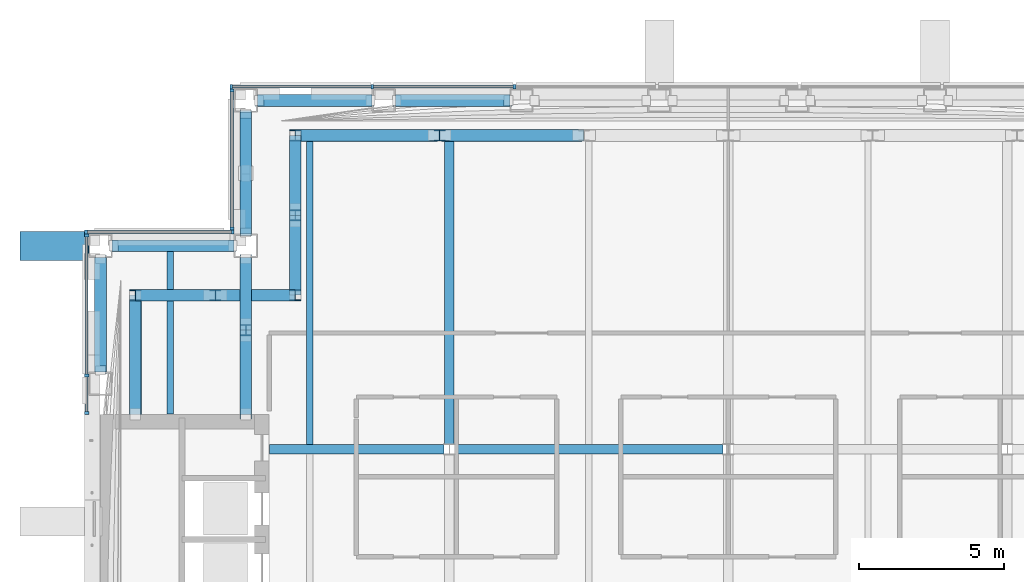
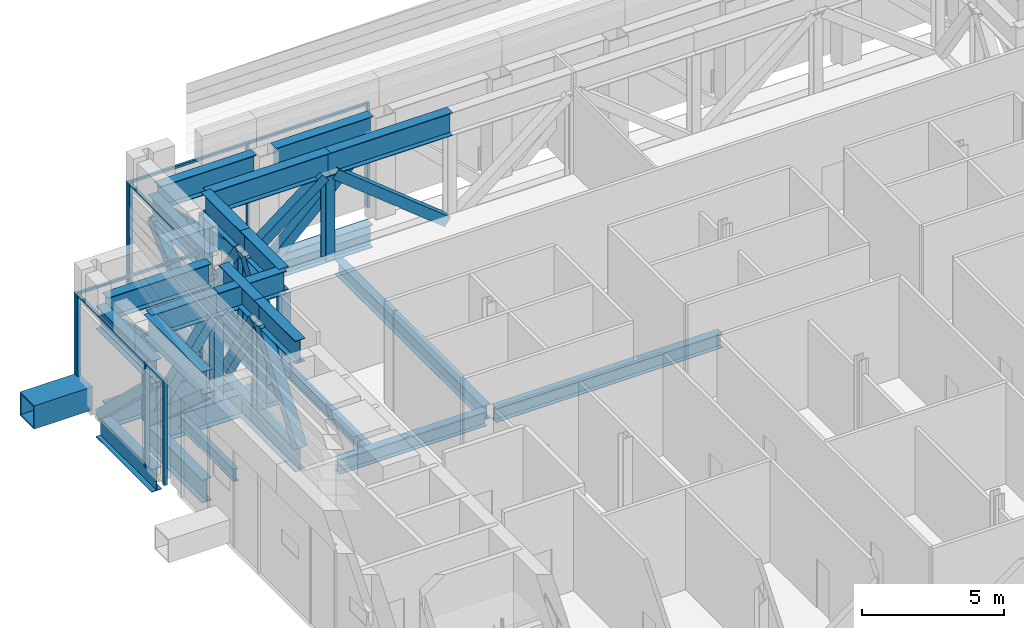
# One storey, part 7 of 29: 62 members, 7 beams, 4 elements without a shape of their own.
"""IFC4 building model written with IfcOpenShell, lengths in metres."""

from ifc_helpers import new_model, si_unit, direction, frame, origin, origin_2d, place, context, subcontext, project, spatial, rectangle, hollow_rectangle, i_section, extrude, material, material_profile, profile_set, type_object, element, aggregate, save


model = new_model("IFC4")

# Units and contexts
model_context = context("Model", 3, precision=1e-05, world=origin(), true_north=direction((0.0, 1.0)))
body_context = subcontext(model_context, "Body", "Model", "MODEL_VIEW")
ifc_project = project(units=[si_unit("LENGTHUNIT", "METRE"), si_unit("AREAUNIT", "SQUARE_METRE"), si_unit("VOLUMEUNIT", "CUBIC_METRE"), si_unit("PLANEANGLEUNIT", "RADIAN"), si_unit("MASSUNIT", "GRAM", prefix="KILO")], contexts=[model_context])

# Site, building, storey
site_placement = place(None, origin())
site = spatial("IfcSite", under=ifc_project, at=site_placement, CompositionType="ELEMENT")
building_placement = place(site_placement, origin())
building = spatial("IfcBuilding", under=site, at=building_placement, Name="Cobrizo Arcos Hotel Tower", CompositionType="ELEMENT")
storey_placement = place(building_placement, frame((0.0, 0.0, 186.5)))
storey = spatial("IfcBuildingStorey", under=building, at=storey_placement, Name="L48", CompositionType="ELEMENT", Elevation=186.5)

# Beam
ifc_material_1 = material(Name="Steel ASTM A572 Grade 50", Category="steel")
ifc_material_profile_1 = material_profile(ifc_material_1, hollow_rectangle(XDim=1.0, YDim=1.0, WallThickness=0.06005859375, at=origin_2d()), Name="BOX 1000X1000X60")
ifc_profile_set_1 = profile_set([ifc_material_profile_1], Name="Steel ASTM A572 Grade 50")
beam_type_1 = type_object("IfcBeamType", Name="BOX 1000X1000X60 brace connector strut", PredefinedType="BEAM", material=ifc_profile_set_1)
beam_1_placement = place(storey_placement, frame((-21.989990234375, 16.60009765625, 0.5), z_axis=(-1.0, 0.0, 0.0), x_axis=(0.0, -1.0, 0.0)))
element("IfcBeam", 1, at=beam_1_placement, inside=storey, type_object=beam_type_1, Name="Perimeter brace stub BS1, zone Z3, west face, offset +16.60 m, L48", PredefinedType="BEAM", context=body_context, shape_type="SweptSolid", body=[
    extrude(hollow_rectangle(XDim=1.0, YDim=1.0, WallThickness=0.06005859375, at=origin_2d()), origin(), (0.0, 0.0, 1.0), 2.380126953125),
])

# Curtain wall, members
ifc_material_2 = material(Name="Aluminium 6063-T6 anodised bronze", Category="aluminium")
curtain_wall_type = type_object("IfcCurtainWallType", Name="CW-D plant louvre wall", PredefinedType="NOTDEFINED", material=ifc_material_2)
curtain_wall_1_placement = place(storey_placement, origin())
curtain_wall_1 = element("IfcCurtainWall", 2, at=curtain_wall_1_placement, inside=storey, type_object=curtain_wall_type, Name="CW-D L48 N face", PredefinedType="NOTDEFINED")
ifc_material_profile_2 = material_profile(ifc_material_2, rectangle(XDim=0.14990234375, YDim=0.10009765625, at=origin_2d()), Name="CW-D mullion 150x100")
ifc_profile_set_2 = profile_set([ifc_material_profile_2], Name="Aluminium 6063-T6 anodised bronze")
member_type_1 = type_object("IfcMemberType", Name="CW-D mullion 150x100", PredefinedType="MULLION", material=ifc_profile_set_2)
member_1_placement = place(storey_placement, frame((-7.35009765625, 22.074951171875, 0.0), z_axis=(0.0, 0.0, 1.0), x_axis=(0.0, 1.0, 0.0)))
member_1 = element("IfcMember", 3, at=member_1_placement, type_object=member_type_1, Name="CW-D mullion 6", PredefinedType="MULLION", context=body_context, shape_type="SweptSolid", body=[
    extrude(rectangle(XDim=0.14990234375, YDim=0.10009765625, at=origin_2d()), origin(), (0.0, 0.0, 1.0), 4.5),
])
member_2_placement = place(storey_placement, frame((-12.25, 22.074951171875, 0.0), z_axis=(0.0, 0.0, 1.0), x_axis=(0.0, 1.0, 0.0)))
member_2 = element("IfcMember", 4, at=member_2_placement, type_object=member_type_1, Name="CW-D mullion 7", PredefinedType="MULLION", context=body_context, shape_type="SweptSolid", body=[
    extrude(rectangle(XDim=0.14990234375, YDim=0.10009765625, at=origin_2d()), origin(), (0.0, 0.0, 1.0), 4.5),
])
member_3_placement = place(storey_placement, frame((-17.10009765625, 22.074951171875, 0.0), z_axis=(0.0, 0.0, 1.0), x_axis=(0.0, 1.0, 0.0)))
member_3 = element("IfcMember", 5, at=member_3_placement, type_object=member_type_1, Name="CW-D mullion 8", PredefinedType="MULLION", context=body_context, shape_type="SweptSolid", body=[
    extrude(rectangle(XDim=0.14990234375, YDim=0.10009765625, at=origin_2d()), origin(), (0.0, 0.0, 1.0), 4.5),
])

curtain_wall_2_placement = place(storey_placement, origin())
curtain_wall_2 = element("IfcCurtainWall", 6, at=curtain_wall_2_placement, inside=storey, type_object=curtain_wall_type, Name="CW-D L48 W face", PredefinedType="NOTDEFINED")
member_4_placement = place(storey_placement, frame((-17.074951171875, 21.949951171875, 0.0), z_axis=(0.0, 0.0, 1.0), x_axis=(-1.0, 0.0, 0.0)))
member_4 = element("IfcMember", 7, at=member_4_placement, type_object=member_type_1, Name="CW-D mullion 1", PredefinedType="MULLION", context=body_context, shape_type="SweptSolid", body=[
    extrude(rectangle(XDim=0.14990234375, YDim=0.10009765625, at=origin_2d()), origin(), (0.0, 0.0, 1.0), 4.5),
])
member_5_placement = place(storey_placement, frame((-17.074951171875, 17.199951171875, 0.0), z_axis=(0.0, 0.0, 1.0), x_axis=(-1.0, 0.0, 0.0)))
member_5 = element("IfcMember", 8, at=member_5_placement, type_object=member_type_1, Name="CW-D mullion 2", PredefinedType="MULLION", context=body_context, shape_type="SweptSolid", body=[
    extrude(rectangle(XDim=0.14990234375, YDim=0.10009765625, at=origin_2d()), origin(), (0.0, 0.0, 1.0), 4.5),
])

curtain_wall_3_placement = place(storey_placement, origin())
curtain_wall_3 = element("IfcCurtainWall", 9, at=curtain_wall_3_placement, inside=storey, type_object=curtain_wall_type, Name="CW-D L48 N face", PredefinedType="NOTDEFINED")
member_6_placement = place(storey_placement, frame((-17.050048828125, 17.074951171875, 0.0), z_axis=(0.0, 0.0, 1.0), x_axis=(0.0, 1.0, 0.0)))
member_6 = element("IfcMember", 10, at=member_6_placement, type_object=member_type_1, Name="CW-D mullion 1", PredefinedType="MULLION", context=body_context, shape_type="SweptSolid", body=[
    extrude(rectangle(XDim=0.14990234375, YDim=0.10009765625, at=origin_2d()), origin(), (0.0, 0.0, 1.0), 4.5),
])
member_7_placement = place(storey_placement, frame((-22.10009765625, 17.074951171875, 0.0), z_axis=(0.0, 0.0, 1.0), x_axis=(0.0, 1.0, 0.0)))
member_7 = element("IfcMember", 11, at=member_7_placement, type_object=member_type_1, Name="CW-D mullion 2", PredefinedType="MULLION", context=body_context, shape_type="SweptSolid", body=[
    extrude(rectangle(XDim=0.14990234375, YDim=0.10009765625, at=origin_2d()), origin(), (0.0, 0.0, 1.0), 4.5),
])

curtain_wall_4_placement = place(storey_placement, origin())
curtain_wall_4 = element("IfcCurtainWall", 12, at=curtain_wall_4_placement, inside=storey, type_object=curtain_wall_type, Name="CW-D L48 W face", PredefinedType="NOTDEFINED")
member_8_placement = place(storey_placement, frame((-22.074951171875, 16.949951171875, 0.0), z_axis=(0.0, 0.0, 1.0), x_axis=(-1.0, 0.0, 0.0)))
member_8 = element("IfcMember", 13, at=member_8_placement, type_object=member_type_1, Name="CW-D mullion 1", PredefinedType="MULLION", context=body_context, shape_type="SweptSolid", body=[
    extrude(rectangle(XDim=0.14990234375, YDim=0.10009765625, at=origin_2d()), origin(), (0.0, 0.0, 1.0), 4.5),
])
member_9_placement = place(storey_placement, frame((-22.074951171875, 12.142822265625, 0.0), z_axis=(0.0, 0.0, 1.0), x_axis=(-1.0, 0.0, 0.0)))
member_9 = element("IfcMember", 14, at=member_9_placement, type_object=member_type_1, Name="CW-D mullion 2", PredefinedType="MULLION", context=body_context, shape_type="SweptSolid", body=[
    extrude(rectangle(XDim=0.14990234375, YDim=0.10009765625, at=origin_2d()), origin(), (0.0, 0.0, 1.0), 4.5),
])
member_10_placement = place(storey_placement, frame((-22.074951171875, 10.85009765625, 0.0), z_axis=(0.0, 0.0, 1.0), x_axis=(-1.0, 0.0, 0.0)))
member_10 = element("IfcMember", 15, at=member_10_placement, type_object=member_type_1, Name="CW-D mullion 3", PredefinedType="MULLION", context=body_context, shape_type="SweptSolid", body=[
    extrude(rectangle(XDim=0.14990234375, YDim=0.10009765625, at=origin_2d()), origin(), (0.0, 0.0, 1.0), 4.5),
])

# Member
ifc_material_profile_3 = material_profile(ifc_material_2, rectangle(XDim=0.10009765625, YDim=0.10009765625, at=origin_2d()), Name="CW-D transom 100x100")
ifc_profile_set_3 = profile_set([ifc_material_profile_3], Name="Aluminium 6063-T6 anodised bronze")
member_type_2 = type_object("IfcMemberType", Name="CW-D transom 100x100", PredefinedType="USERDEFINED", material=ifc_profile_set_3)
member_11_placement = place(storey_placement, frame((-7.39990234375, 22.074951171875, 4.449951171875), z_axis=(-1.0, 0.0, 0.0), x_axis=(0.0, -1.0, 0.0)))
member_11 = element("IfcMember", 16, at=member_11_placement, type_object=member_type_2, Name="CW-D transom 1686", ObjectType="TRANSOM", PredefinedType="USERDEFINED", context=body_context, shape_type="SweptSolid", body=[
    extrude(rectangle(XDim=0.10009765625, YDim=0.10009765625, at=origin_2d()), origin(), (0.0, 0.0, 1.0), 4.800048828125),
])

member_12_placement = place(storey_placement, frame((-12.300048828125, 22.074951171875, 4.449951171875), z_axis=(-1.0, 0.0, 0.0), x_axis=(0.0, -1.0, 0.0)))
member_12 = element("IfcMember", 17, at=member_12_placement, type_object=member_type_2, Name="CW-D transom 1687", ObjectType="TRANSOM", PredefinedType="USERDEFINED", context=body_context, shape_type="SweptSolid", body=[
    extrude(rectangle(XDim=0.10009765625, YDim=0.10009765625, at=origin_2d()), origin(), (0.0, 0.0, 1.0), 4.75),
])

aggregate(curtain_wall_1, [member_1, member_2, member_3, member_11, member_12])

member_13_placement = place(storey_placement, frame((-17.074951171875, 21.89990234375, 4.449951171875), z_axis=(0.0, -1.0, 0.0), x_axis=(1.0, 0.0, 0.0)))
member_13 = element("IfcMember", 18, at=member_13_placement, type_object=member_type_2, Name="CW-D transom 1688", ObjectType="TRANSOM", PredefinedType="USERDEFINED", context=body_context, shape_type="SweptSolid", body=[
    extrude(rectangle(XDim=0.10009765625, YDim=0.10009765625, at=origin_2d()), origin(), (0.0, 0.0, 1.0), 4.64990234375),
])

aggregate(curtain_wall_2, [member_4, member_5, member_13])

member_14_placement = place(storey_placement, frame((-17.10009765625, 17.074951171875, 4.449951171875), z_axis=(-1.0, 0.0, 0.0), x_axis=(0.0, -1.0, 0.0)))
member_14 = element("IfcMember", 19, at=member_14_placement, type_object=member_type_2, Name="CW-D transom 1689", ObjectType="TRANSOM", PredefinedType="USERDEFINED", context=body_context, shape_type="SweptSolid", body=[
    extrude(rectangle(XDim=0.10009765625, YDim=0.10009765625, at=origin_2d()), origin(), (0.0, 0.0, 1.0), 4.949951171875),
])

aggregate(curtain_wall_3, [member_6, member_7, member_14])

member_15_placement = place(storey_placement, frame((-22.074951171875, 16.89990234375, 4.449951171875), z_axis=(0.0, -1.0, 0.0), x_axis=(1.0, 0.0, 0.0)))
member_15 = element("IfcMember", 20, at=member_15_placement, type_object=member_type_2, Name="CW-D transom 1690", ObjectType="TRANSOM", PredefinedType="USERDEFINED", context=body_context, shape_type="SweptSolid", body=[
    extrude(rectangle(XDim=0.10009765625, YDim=0.10009765625, at=origin_2d()), origin(), (0.0, 0.0, 1.0), 4.70703125),
])

member_16_placement = place(storey_placement, frame((-22.074951171875, 12.0927734375, 4.449951171875), z_axis=(0.0, -1.0, 0.0), x_axis=(1.0, 0.0, 0.0)))
member_16 = element("IfcMember", 21, at=member_16_placement, type_object=member_type_2, Name="CW-D transom 1691", ObjectType="TRANSOM", PredefinedType="USERDEFINED", context=body_context, shape_type="SweptSolid", body=[
    extrude(rectangle(XDim=0.10009765625, YDim=0.10009765625, at=origin_2d()), origin(), (0.0, 0.0, 1.0), 1.19287109375),
])

aggregate(curtain_wall_4, [member_8, member_9, member_10, member_15, member_16])

# Members
ifc_material_3 = material(Name="Steel ASTM A500 Grade C", Category="steel")
ifc_material_profile_4 = material_profile(ifc_material_3, hollow_rectangle(XDim=0.406494140625, YDim=0.406494140625, WallThickness=0.014892578125, at=origin_2d()), Name="HSS16X16X5/8")
ifc_profile_set_4 = profile_set([ifc_material_profile_4], Name="Steel ASTM A500 Grade C")
member_type_3 = type_object("IfcMemberType", Name="HSS16X16X5/8 truss diagonal", PredefinedType="BRACE", material=ifc_profile_set_4)
member_17_placement = place(storey_placement, frame((-7.593994140625, 21.60009765625, 3.359375), z_axis=(-0.718744947416, 0.0, -0.695273831353), x_axis=(0.0, -1.0, 0.0)))
element("IfcMember", 22, at=member_17_placement, inside=storey, type_object=member_type_3, Name="Belt truss diagonal TD1, L48, no. 019", PredefinedType="BRACE", context=body_context, shape_type="SweptSolid", body=[
    extrude(hollow_rectangle(XDim=0.406494140625, YDim=0.406494140625, WallThickness=0.014892578125, at=origin_2d()), origin(), (0.0, 0.0, 1.0), 5.26318359375),
])
member_18_placement = place(storey_placement, frame((-12.3369140625, 21.60009765625, -0.300048828125), z_axis=(-0.71876736936, 0.0, 0.695250651739), x_axis=(0.0, -1.0, 0.0)))
element("IfcMember", 23, at=member_18_placement, inside=storey, type_object=member_type_3, Name="Belt truss diagonal TD1, L48, no. 020", PredefinedType="BRACE", context=body_context, shape_type="SweptSolid", body=[
    extrude(hollow_rectangle(XDim=0.406494140625, YDim=0.406494140625, WallThickness=0.014892578125, at=origin_2d()), origin(), (0.0, 0.0, 1.0), 5.263427734375),
])
for number, where, z_axis, x_axis, name in (
    (24, (-16.60009765625, 21.1201171875, -0.300048828125), (0.0, -0.7411568591, 0.671331892739), (1.0, 0.0, 0.0), "Belt truss diagonal TD1, L48, no. 021"),
    (25, (-17.080078125, 16.60009765625, -0.300048828125), (-0.7411568591, 0.0, 0.671331892739), (0.0, -1.0, 0.0), "Belt truss diagonal TD1, L48, no. 022"),
):
    element("IfcMember", number, at=place(storey_placement, frame(where, z_axis=z_axis, x_axis=x_axis)), inside=storey, type_object=member_type_3, Name=name, PredefinedType="BRACE", context=body_context, shape_type="SweptSolid", body=[
        extrude(hollow_rectangle(XDim=0.406494140625, YDim=0.406494140625, WallThickness=0.014892578125, at=origin_2d()), origin(), (0.0, 0.0, 1.0), 5.450927734375),
    ])
member_19_placement = place(storey_placement, frame((-21.60009765625, 16.1201171875, -0.300048828125), z_axis=(0.0, -0.71876736936, 0.695250651739), x_axis=(1.0, 0.0, 0.0)))
element("IfcMember", 26, at=member_19_placement, inside=storey, type_object=member_type_3, Name="Belt truss diagonal TD1, L48, no. 023", PredefinedType="BRACE", context=body_context, shape_type="SweptSolid", body=[
    extrude(hollow_rectangle(XDim=0.406494140625, YDim=0.406494140625, WallThickness=0.014892578125, at=origin_2d()), origin(), (0.0, 0.0, 1.0), 5.263427734375),
])
member_20_placement = place(storey_placement, frame((-5.1669921875, 20.39990234375, -0.300048828125), z_axis=(-0.780310829579, 0.0, 0.625391884534), x_axis=(0.0, -1.0, 0.0)))
element("IfcMember", 27, at=member_20_placement, inside=storey, type_object=member_type_3, Name="Belt truss diagonal TD1, L48, no. 047", PredefinedType="BRACE", context=body_context, shape_type="SweptSolid", body=[
    extrude(hollow_rectangle(XDim=0.406494140625, YDim=0.406494140625, WallThickness=0.014892578125, at=origin_2d()), origin(), (0.0, 0.0, 1.0), 5.851318359375),
])
member_21_placement = place(storey_placement, frame((-10.133056640625, 20.39990234375, 3.359375), z_axis=(-0.793217141697, 0.0, -0.608938885372), x_axis=(0.0, -1.0, 0.0)))
element("IfcMember", 28, at=member_21_placement, inside=storey, type_object=member_type_3, Name="Belt truss diagonal TD1, L48, no. 048", PredefinedType="BRACE", context=body_context, shape_type="SweptSolid", body=[
    extrude(hollow_rectangle(XDim=0.406494140625, YDim=0.406494140625, WallThickness=0.014892578125, at=origin_2d()), origin(), (0.0, 0.0, 1.0), 6.009521484375),
])
for number, where, z_axis, x_axis, name in (
    (29, (-14.89990234375, 20.39990234375, -0.300048828125), (0.0, -0.571686597263, 0.820472080274), (1.0, 0.0, 0.0), "Belt truss diagonal TD1, L48, no. 049"),
    (30, (-14.89990234375, 17.449951171875, 3.359375), (0.0, -0.571723443945, -0.820446405102), (1.0, 0.0, 0.0), "Belt truss diagonal TD1, L48, no. 050"),
    (31, (-14.89990234375, 14.89990234375, -0.300048828125), (-0.571723443945, 0.0, 0.820446405102), (0.0, -1.0, 0.0), "Belt truss diagonal TD1, L48, no. 051"),
    (32, (-17.85009765625, 14.89990234375, 3.359375), (-0.571686597263, 0.0, -0.820472080274), (0.0, -1.0, 0.0), "Belt truss diagonal TD1, L48, no. 052"),
):
    element("IfcMember", number, at=place(storey_placement, frame(where, z_axis=z_axis, x_axis=x_axis)), inside=storey, type_object=member_type_3, Name=name, PredefinedType="BRACE", context=body_context, shape_type="SweptSolid", body=[
        extrude(hollow_rectangle(XDim=0.406494140625, YDim=0.406494140625, WallThickness=0.014892578125, at=origin_2d()), origin(), (0.0, 0.0, 1.0), 4.460205078125),
    ])
member_22_placement = place(storey_placement, frame((-20.39990234375, 14.89990234375, -0.300048828125), z_axis=(0.0, -0.745963676774, 0.665986631197), x_axis=(1.0, 0.0, 0.0)))
element("IfcMember", 33, at=member_22_placement, inside=storey, type_object=member_type_3, Name="Belt truss diagonal TD1, L48, no. 053", PredefinedType="BRACE", context=body_context, shape_type="SweptSolid", body=[
    extrude(hollow_rectangle(XDim=0.406494140625, YDim=0.406494140625, WallThickness=0.014892578125, at=origin_2d()), origin(), (0.0, 0.0, 1.0), 5.49462890625),
])
member_23_placement = place(storey_placement, frame((-16.60009765625, 10.800048828125, -0.300048828125), z_axis=(0.0, 0.593702520148, 0.804684607514), x_axis=(-1.0, 0.0, 0.0)))
element("IfcMember", 34, at=member_23_placement, inside=storey, type_object=member_type_3, Name="Outrigger diagonal TD1, L48, no. 010", PredefinedType="BRACE", context=body_context, shape_type="SweptSolid", body=[
    extrude(hollow_rectangle(XDim=0.406494140625, YDim=0.406494140625, WallThickness=0.014892578125, at=origin_2d()), origin(), (0.0, 0.0, 1.0), 4.547607421875),
])
member_24_placement = place(storey_placement, frame((-16.60009765625, 13.89990234375, 3.359375), z_axis=(0.0, 0.518708703579, -0.85495104002), x_axis=(-1.0, 0.0, 0.0)))
element("IfcMember", 35, at=member_24_placement, inside=storey, type_object=member_type_3, Name="Outrigger diagonal TD1, L48, no. 011", PredefinedType="BRACE", context=body_context, shape_type="SweptSolid", body=[
    extrude(hollow_rectangle(XDim=0.406494140625, YDim=0.406494140625, WallThickness=0.014892578125, at=origin_2d()), origin(), (0.0, 0.0, 1.0), 4.2802734375),
])
member_25_placement = place(storey_placement, frame((-16.60009765625, 17.080078125, -0.300048828125), z_axis=(0.0, 0.741125315388, 0.671366715657), x_axis=(-1.0, 0.0, 0.0)))
element("IfcMember", 36, at=member_25_placement, inside=storey, type_object=member_type_3, Name="Outrigger diagonal TD1, L48, no. 012", PredefinedType="BRACE", context=body_context, shape_type="SweptSolid", body=[
    extrude(hollow_rectangle(XDim=0.406494140625, YDim=0.406494140625, WallThickness=0.014892578125, at=origin_2d()), origin(), (0.0, 0.0, 1.0), 2.55126953125),
])
member_26_placement = place(storey_placement, frame((-16.60009765625, 19.22900390625, 1.646484375), z_axis=(0.0, 0.741168441831, 0.671319105072), x_axis=(-1.0, 0.0, 0.0)))
element("IfcMember", 37, at=member_26_placement, inside=storey, type_object=member_type_3, Name="Outrigger diagonal TD1, L48, no. 012b", PredefinedType="BRACE", context=body_context, shape_type="SweptSolid", body=[
    extrude(hollow_rectangle(XDim=0.406494140625, YDim=0.406494140625, WallThickness=0.014892578125, at=origin_2d()), origin(), (0.0, 0.0, 1.0), 2.551513671875),
])
ifc_material_4 = material(Name="Steel ASTM A992 Grade 50", Category="steel")
ifc_material_profile_5 = material_profile(ifc_material_4, i_section(OverallWidth=0.373291015625, OverallDepth=0.373291015625, WebThickness=0.016357421875, FlangeThickness=0.026123046875, at=origin_2d()), Name="W14X132")
ifc_profile_set_5 = profile_set([ifc_material_profile_5], Name="Steel ASTM A992 Grade 50")
member_type_4 = type_object("IfcMemberType", Name="W14X132 truss post", PredefinedType="POST", material=ifc_profile_set_5)
for number, where, z_axis, x_axis, name in (
    (38, (-9.93310546875, 20.39990234375, -0.300048828125), (0.0, 0.0, 1.0), (1.0, 0.0, 0.0), "Truss post TP1, L48, no. 021"),
    (39, (-14.89990234375, 20.39990234375, -0.300048828125), (0.0, 0.0, 1.0), (1.0, 0.0, 0.0), "Truss post TP1, L48, no. 022"),
    (40, (-14.89990234375, 17.64990234375, -0.300048828125), (0.0, 0.0, 1.0), (1.0, 0.0, 0.0), "Truss post TP1, L48, no. 023"),
    (41, (-14.89990234375, 14.89990234375, -0.300048828125), (0.0, 0.0, 1.0), (1.0, 0.0, 0.0), "Truss post TP1, L48, no. 024"),
    (42, (-17.64990234375, 14.89990234375, -0.300048828125), (0.0, 0.0, 1.0), (1.0, 0.0, 0.0), "Truss post TP1, L48, no. 025"),
    (43, (-20.39990234375, 14.89990234375, -0.300048828125), (0.0, 0.0, 1.0), (1.0, 0.0, 0.0), "Truss post TP1, L48, no. 026"),
    (44, (-16.60009765625, 13.699951171875, -0.300048828125), (0.0, 0.0, 1.0), (1.0, 0.0, 0.0), "Truss post TP1, L48, no. 034"),
):
    element("IfcMember", number, at=place(storey_placement, frame(where, z_axis=z_axis, x_axis=x_axis)), inside=storey, type_object=member_type_4, Name=name, PredefinedType="POST", context=body_context, shape_type="SweptSolid", body=[
        extrude(i_section(OverallWidth=0.373291015625, OverallDepth=0.373291015625, WebThickness=0.016357421875, FlangeThickness=0.026123046875, at=origin_2d()), origin(), (0.0, 0.0, 1.0), 3.659423828125),
    ])

# Beams
ifc_material_profile_6 = material_profile(ifc_material_4, i_section(OverallWidth=0.209228515625, OverallDepth=0.533447265625, WebThickness=0.01025390625, FlangeThickness=0.015625, at=origin_2d()), Name="W21X62")
ifc_profile_set_6 = profile_set([ifc_material_profile_6], Name="Steel ASTM A992 Grade 50")
beam_type_2 = type_object("IfcBeamType", Name="W21X62 joist", PredefinedType="JOIST", material=ifc_profile_set_6)
beam_2_placement = place(storey_placement, frame((-19.199951171875, 10.81005859375, -0.566650390625), z_axis=(0.0, 1.0, 0.0), x_axis=(-1.0, 0.0, 0.0)))
element("IfcBeam", 45, at=beam_2_placement, inside=storey, type_object=beam_type_2, Name="Floor joist J1, L48, no. 003", PredefinedType="JOIST", context=body_context, shape_type="SweptSolid", body=[
    extrude(i_section(OverallWidth=0.209228515625, OverallDepth=0.533447265625, WebThickness=0.01025390625, FlangeThickness=0.015625, at=origin_2d()), origin(), (0.0, 0.0, 1.0), 3.889404296875),
])
beam_3_placement = place(storey_placement, frame((-19.199951171875, 15.1005859375, -0.566650390625), z_axis=(0.0, 1.0, 0.0), x_axis=(-1.0, 0.0, 0.0)))
element("IfcBeam", 46, at=beam_3_placement, inside=storey, type_object=beam_type_2, Name="Floor joist J1, L48, no. 004", PredefinedType="JOIST", context=body_context, shape_type="SweptSolid", body=[
    extrude(i_section(OverallWidth=0.209228515625, OverallDepth=0.533447265625, WebThickness=0.01025390625, FlangeThickness=0.015625, at=origin_2d()), origin(), (0.0, 0.0, 1.0), 1.298828125),
])
beam_4_placement = place(storey_placement, frame((-14.39990234375, 9.763916015625, -0.566650390625), z_axis=(0.0, 1.0, 0.0), x_axis=(-1.0, 0.0, 0.0)))
element("IfcBeam", 47, at=beam_4_placement, inside=storey, type_object=beam_type_2, Name="Floor joist J1, L48, no. 008", PredefinedType="JOIST", context=body_context, shape_type="SweptSolid", body=[
    extrude(i_section(OverallWidth=0.209228515625, OverallDepth=0.533447265625, WebThickness=0.01025390625, FlangeThickness=0.015625, at=origin_2d()), origin(), (0.0, 0.0, 1.0), 10.435546875),
])
ifc_material_profile_7 = material_profile(ifc_material_4, i_section(OverallWidth=0.32763671875, OverallDepth=0.622314453125, WebThickness=0.015380859375, FlangeThickness=0.0244140625, at=origin_2d()), Name="W24X131")
ifc_profile_set_7 = profile_set([ifc_material_profile_7], Name="Steel ASTM A992 Grade 50")
beam_type_3 = type_object("IfcBeamType", Name="W24X131 girder", PredefinedType="BEAM", material=ifc_profile_set_7)
beam_5_placement = place(storey_placement, frame((-15.7900390625, 9.60009765625, -0.611083984375), z_axis=(1.0, 0.0, 0.0), x_axis=(0.0, 1.0, 0.0)))
element("IfcBeam", 48, at=beam_5_placement, inside=storey, type_object=beam_type_3, Name="Floor girder G1, L48, no. 009", PredefinedType="BEAM", context=body_context, shape_type="SweptSolid", body=[
    extrude(i_section(OverallWidth=0.32763671875, OverallDepth=0.622314453125, WebThickness=0.015380859375, FlangeThickness=0.0244140625, at=origin_2d()), origin(), (0.0, 0.0, 1.0), 6.00341796875),
])
beam_6_placement = place(storey_placement, frame((-9.413330078125, 9.60009765625, -0.611083984375), z_axis=(1.0, 0.0, 0.0), x_axis=(0.0, 1.0, 0.0)))
element("IfcBeam", 49, at=beam_6_placement, inside=storey, type_object=beam_type_3, Name="Floor girder G1, L48, no. 010", PredefinedType="BEAM", context=body_context, shape_type="SweptSolid", body=[
    extrude(i_section(OverallWidth=0.32763671875, OverallDepth=0.622314453125, WebThickness=0.015380859375, FlangeThickness=0.0244140625, at=origin_2d()), origin(), (0.0, 0.0, 1.0), 9.2265625),
])
beam_7_placement = place(storey_placement, frame((-9.60009765625, 9.78662109375, -0.611083984375), z_axis=(0.0, 1.0, 0.0), x_axis=(-1.0, 0.0, 0.0)))
element("IfcBeam", 50, at=beam_7_placement, inside=storey, type_object=beam_type_3, Name="Floor girder G1, L48, no. 016", PredefinedType="BEAM", context=body_context, shape_type="SweptSolid", body=[
    extrude(i_section(OverallWidth=0.32763671875, OverallDepth=0.622314453125, WebThickness=0.015380859375, FlangeThickness=0.0244140625, at=origin_2d()), origin(), (0.0, 0.0, 1.0), 10.412841796875),
])

# Members
ifc_material_profile_8 = material_profile(ifc_material_4, i_section(OverallWidth=0.4013671875, OverallDepth=0.990478515625, WebThickness=0.0166015625, FlangeThickness=0.025390625, at=origin_2d()), Name="W40X215")
ifc_profile_set_8 = profile_set([ifc_material_profile_8], Name="Steel ASTM A992 Grade 50")
member_type_5 = type_object("IfcMemberType", Name="W40X215 belt truss chord", PredefinedType="CHORD", material=ifc_profile_set_8)
member_27_placement = place(storey_placement, frame((-7.513916015625, 21.60009765625, -0.79541015625), z_axis=(-1.0, 0.0, 0.0), x_axis=(0.0, -1.0, 0.0)))
element("IfcMember", 51, at=member_27_placement, inside=storey, type_object=member_type_5, Name="Belt truss bottom chord TC1, L48, no. 019", PredefinedType="CHORD", context=body_context, shape_type="SweptSolid", body=[
    extrude(i_section(OverallWidth=0.4013671875, OverallDepth=0.990478515625, WebThickness=0.0166015625, FlangeThickness=0.025390625, at=origin_2d()), origin(), (0.0, 0.0, 1.0), 3.943115234375),
])
member_28_placement = place(storey_placement, frame((-12.257080078125, 21.60009765625, -0.79541015625), z_axis=(-1.0, 0.0, 0.0), x_axis=(0.0, -1.0, 0.0)))
element("IfcMember", 52, at=member_28_placement, inside=storey, type_object=member_type_5, Name="Belt truss bottom chord TC1, L48, no. 020", PredefinedType="CHORD", context=body_context, shape_type="SweptSolid", body=[
    extrude(i_section(OverallWidth=0.4013671875, OverallDepth=0.990478515625, WebThickness=0.0166015625, FlangeThickness=0.025390625, at=origin_2d()), origin(), (0.0, 0.0, 1.0), 3.94287109375),
])
member_29_placement = place(storey_placement, frame((-7.513916015625, 21.60009765625, 3.854736328125), z_axis=(-1.0, 0.0, 0.0), x_axis=(0.0, -1.0, 0.0)))
element("IfcMember", 53, at=member_29_placement, inside=storey, type_object=member_type_5, Name="Belt truss top chord TC1, L48, no. 019", PredefinedType="CHORD", context=body_context, shape_type="SweptSolid", body=[
    extrude(i_section(OverallWidth=0.4013671875, OverallDepth=0.990478515625, WebThickness=0.0166015625, FlangeThickness=0.025390625, at=origin_2d()), origin(), (0.0, 0.0, 1.0), 3.943115234375),
])
member_30_placement = place(storey_placement, frame((-12.257080078125, 21.60009765625, 3.854736328125), z_axis=(-1.0, 0.0, 0.0), x_axis=(0.0, -1.0, 0.0)))
element("IfcMember", 54, at=member_30_placement, inside=storey, type_object=member_type_5, Name="Belt truss top chord TC1, L48, no. 020", PredefinedType="CHORD", context=body_context, shape_type="SweptSolid", body=[
    extrude(i_section(OverallWidth=0.4013671875, OverallDepth=0.990478515625, WebThickness=0.0166015625, FlangeThickness=0.025390625, at=origin_2d()), origin(), (0.0, 0.0, 1.0), 3.94287109375),
])
for number, where, z_axis, x_axis, name in (
    (55, (-16.60009765625, 21.199951171875, -0.79541015625), (0.0, -1.0, 0.0), (1.0, 0.0, 0.0), "Belt truss bottom chord TC1, L48, no. 021"),
    (56, (-16.60009765625, 21.199951171875, 3.854736328125), (0.0, -1.0, 0.0), (1.0, 0.0, 0.0), "Belt truss top chord TC1, L48, no. 021"),
    (57, (-17.0, 16.60009765625, -0.79541015625), (-1.0, 0.0, 0.0), (0.0, -1.0, 0.0), "Belt truss bottom chord TC1, L48, no. 022"),
    (58, (-17.0, 16.60009765625, 3.854736328125), (-1.0, 0.0, 0.0), (0.0, -1.0, 0.0), "Belt truss top chord TC1, L48, no. 022"),
):
    element("IfcMember", number, at=place(storey_placement, frame(where, z_axis=z_axis, x_axis=x_axis)), inside=storey, type_object=member_type_5, Name=name, PredefinedType="CHORD", context=body_context, shape_type="SweptSolid", body=[
        extrude(i_section(OverallWidth=0.4013671875, OverallDepth=0.990478515625, WebThickness=0.0166015625, FlangeThickness=0.025390625, at=origin_2d()), origin(), (0.0, 0.0, 1.0), 4.199951171875),
    ])
for number, where, z_axis, x_axis, name in (
    (59, (-21.60009765625, 16.199951171875, -0.79541015625), (0.0, -1.0, 0.0), (1.0, 0.0, 0.0), "Belt truss bottom chord TC1, L48, no. 023"),
    (60, (-21.60009765625, 16.199951171875, 3.854736328125), (0.0, -1.0, 0.0), (1.0, 0.0, 0.0), "Belt truss top chord TC1, L48, no. 023"),
):
    element("IfcMember", number, at=place(storey_placement, frame(where, z_axis=z_axis, x_axis=x_axis)), inside=storey, type_object=member_type_5, Name=name, PredefinedType="CHORD", context=body_context, shape_type="SweptSolid", body=[
        extrude(i_section(OverallWidth=0.4013671875, OverallDepth=0.990478515625, WebThickness=0.0166015625, FlangeThickness=0.025390625, at=origin_2d()), origin(), (0.0, 0.0, 1.0), 3.94287109375),
    ])
member_31_placement = place(storey_placement, frame((-4.967041015625, 20.39990234375, 3.854736328125), z_axis=(-1.0, 0.0, 0.0), x_axis=(0.0, -1.0, 0.0)))
element("IfcMember", 61, at=member_31_placement, inside=storey, type_object=member_type_5, Name="Belt truss top chord TC1, L48, no. 047", PredefinedType="CHORD", context=body_context, shape_type="SweptSolid", body=[
    extrude(i_section(OverallWidth=0.4013671875, OverallDepth=0.990478515625, WebThickness=0.0166015625, FlangeThickness=0.025390625, at=origin_2d()), origin(), (0.0, 0.0, 1.0), 4.966064453125),
])
member_32_placement = place(storey_placement, frame((-9.93310546875, 20.39990234375, 3.854736328125), z_axis=(-1.0, 0.0, 0.0), x_axis=(0.0, -1.0, 0.0)))
element("IfcMember", 62, at=member_32_placement, inside=storey, type_object=member_type_5, Name="Belt truss top chord TC1, L48, no. 048", PredefinedType="CHORD", context=body_context, shape_type="SweptSolid", body=[
    extrude(i_section(OverallWidth=0.4013671875, OverallDepth=0.990478515625, WebThickness=0.0166015625, FlangeThickness=0.025390625, at=origin_2d()), origin(), (0.0, 0.0, 1.0), 4.966796875),
])
member_33_placement = place(storey_placement, frame((-14.89990234375, 20.39990234375, -0.79541015625), z_axis=(0.0, -1.0, 0.0), x_axis=(1.0, 0.0, 0.0)))
element("IfcMember", 63, at=member_33_placement, inside=storey, type_object=member_type_5, Name="Belt truss bottom chord TC1, L48, no. 035", PredefinedType="CHORD", context=body_context, shape_type="SweptSolid", body=[
    extrude(i_section(OverallWidth=0.4013671875, OverallDepth=0.990478515625, WebThickness=0.0166015625, FlangeThickness=0.025390625, at=origin_2d()), origin(), (0.0, 0.0, 1.0), 5.5),
])
for number, where, z_axis, x_axis, name in (
    (64, (-14.89990234375, 20.39990234375, 3.854736328125), (0.0, -1.0, 0.0), (1.0, 0.0, 0.0), "Belt truss top chord TC1, L48, no. 049"),
    (65, (-14.89990234375, 17.64990234375, 3.854736328125), (0.0, -1.0, 0.0), (1.0, 0.0, 0.0), "Belt truss top chord TC1, L48, no. 050"),
):
    element("IfcMember", number, at=place(storey_placement, frame(where, z_axis=z_axis, x_axis=x_axis)), inside=storey, type_object=member_type_5, Name=name, PredefinedType="CHORD", context=body_context, shape_type="SweptSolid", body=[
        extrude(i_section(OverallWidth=0.4013671875, OverallDepth=0.990478515625, WebThickness=0.0166015625, FlangeThickness=0.025390625, at=origin_2d()), origin(), (0.0, 0.0, 1.0), 2.75),
    ])
member_34_placement = place(storey_placement, frame((-14.89990234375, 14.89990234375, -0.79541015625), z_axis=(-1.0, 0.0, 0.0), x_axis=(0.0, -1.0, 0.0)))
element("IfcMember", 66, at=member_34_placement, inside=storey, type_object=member_type_5, Name="Belt truss bottom chord TC1, L48, no. 036", PredefinedType="CHORD", context=body_context, shape_type="SweptSolid", body=[
    extrude(i_section(OverallWidth=0.4013671875, OverallDepth=0.990478515625, WebThickness=0.0166015625, FlangeThickness=0.025390625, at=origin_2d()), origin(), (0.0, 0.0, 1.0), 5.5),
])
for number, where, z_axis, x_axis, name in (
    (67, (-14.89990234375, 14.89990234375, 3.854736328125), (-1.0, 0.0, 0.0), (0.0, -1.0, 0.0), "Belt truss top chord TC1, L48, no. 051"),
    (68, (-17.64990234375, 14.89990234375, 3.854736328125), (-1.0, 0.0, 0.0), (0.0, -1.0, 0.0), "Belt truss top chord TC1, L48, no. 052"),
):
    element("IfcMember", number, at=place(storey_placement, frame(where, z_axis=z_axis, x_axis=x_axis)), inside=storey, type_object=member_type_5, Name=name, PredefinedType="CHORD", context=body_context, shape_type="SweptSolid", body=[
        extrude(i_section(OverallWidth=0.4013671875, OverallDepth=0.990478515625, WebThickness=0.0166015625, FlangeThickness=0.025390625, at=origin_2d()), origin(), (0.0, 0.0, 1.0), 2.75),
    ])
for number, where, z_axis, x_axis, name in (
    (69, (-20.39990234375, 14.89990234375, -0.79541015625), (0.0, -1.0, 0.0), (1.0, 0.0, 0.0), "Belt truss bottom chord TC1, L48, no. 037"),
    (70, (-20.39990234375, 14.89990234375, 3.854736328125), (0.0, -1.0, 0.0), (1.0, 0.0, 0.0), "Belt truss top chord TC1, L48, no. 053"),
):
    element("IfcMember", number, at=place(storey_placement, frame(where, z_axis=z_axis, x_axis=x_axis)), inside=storey, type_object=member_type_5, Name=name, PredefinedType="CHORD", context=body_context, shape_type="SweptSolid", body=[
        extrude(i_section(OverallWidth=0.4013671875, OverallDepth=0.990478515625, WebThickness=0.0166015625, FlangeThickness=0.025390625, at=origin_2d()), origin(), (0.0, 0.0, 1.0), 4.098876953125),
    ])
member_35_placement = place(storey_placement, frame((-16.60009765625, 10.800048828125, -0.79541015625), z_axis=(0.0, 1.0, 0.0), x_axis=(-1.0, 0.0, 0.0)))
element("IfcMember", 71, at=member_35_placement, inside=storey, type_object=member_type_5, Name="Outrigger bottom chord TC1, L48, no. 007", PredefinedType="CHORD", context=body_context, shape_type="SweptSolid", body=[
    extrude(i_section(OverallWidth=0.4013671875, OverallDepth=0.990478515625, WebThickness=0.0166015625, FlangeThickness=0.025390625, at=origin_2d()), origin(), (0.0, 0.0, 1.0), 5.39990234375),
])
member_36_placement = place(storey_placement, frame((-16.60009765625, 10.800048828125, 3.854736328125), z_axis=(0.0, 1.0, 0.0), x_axis=(-1.0, 0.0, 0.0)))
element("IfcMember", 72, at=member_36_placement, inside=storey, type_object=member_type_5, Name="Outrigger top chord TC1, L48, no. 010", PredefinedType="CHORD", context=body_context, shape_type="SweptSolid", body=[
    extrude(i_section(OverallWidth=0.4013671875, OverallDepth=0.990478515625, WebThickness=0.0166015625, FlangeThickness=0.025390625, at=origin_2d()), origin(), (0.0, 0.0, 1.0), 2.89990234375),
])
member_37_placement = place(storey_placement, frame((-16.60009765625, 13.699951171875, 3.854736328125), z_axis=(0.0, 1.0, 0.0), x_axis=(-1.0, 0.0, 0.0)))
element("IfcMember", 73, at=member_37_placement, inside=storey, type_object=member_type_5, Name="Outrigger top chord TC1, L48, no. 011", PredefinedType="CHORD", context=body_context, shape_type="SweptSolid", body=[
    extrude(i_section(OverallWidth=0.4013671875, OverallDepth=0.990478515625, WebThickness=0.0166015625, FlangeThickness=0.025390625, at=origin_2d()), origin(), (0.0, 0.0, 1.0), 2.5),
])

save(model, "model.ifc")
